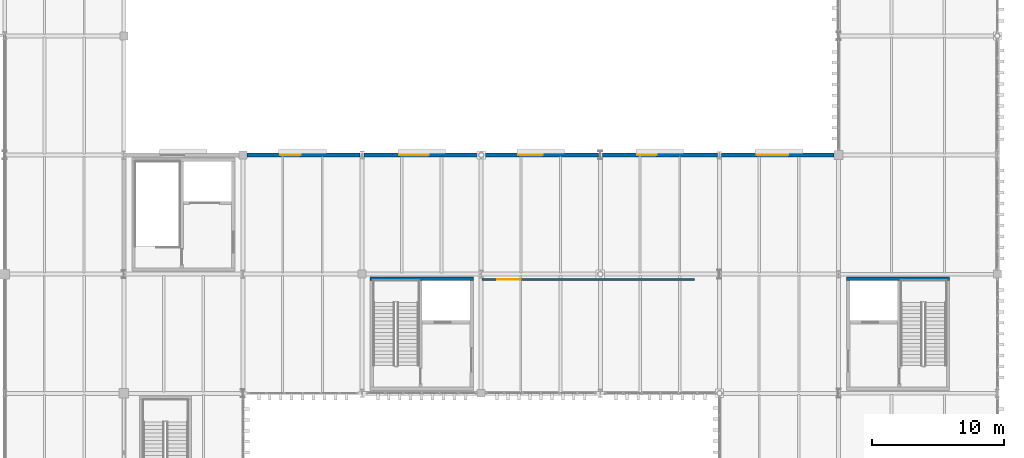
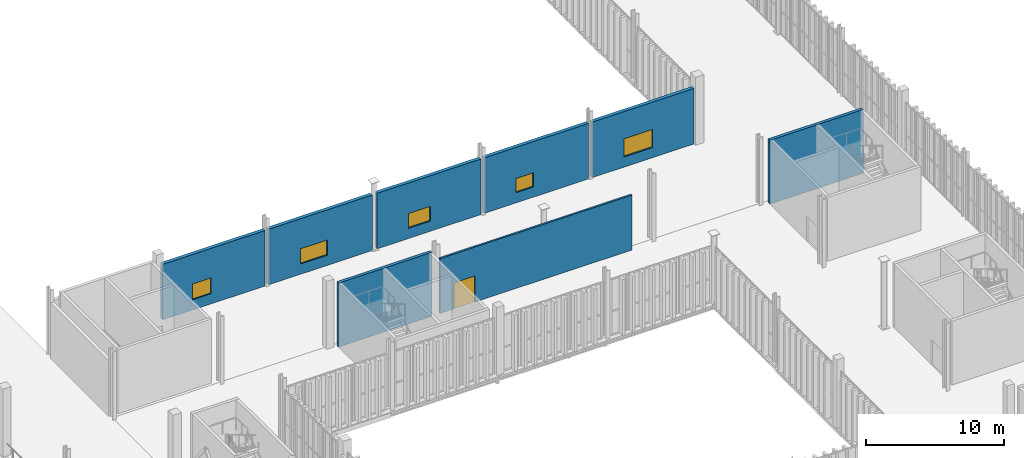
# One storey, part 182 of 211: 8 walls, 5 windows, 1 door, 6 openings.
"""IFC4 building model written with IfcOpenShell, lengths in metres."""

from ifc_helpers import new_model, si_unit, direction, frame, frame_2d, origin, place, context, subcontext, project, spatial, rectangle, extrude, material, layer, layer_set, type_object, element, fill, save


model = new_model("IFC4")

# Units and contexts
model_context = context("Model", 3, precision=1e-05, world=origin(), true_north=direction((0.0, 1.0)))
body_context = subcontext(model_context, "Body", "Model", "MODEL_VIEW")
ifc_project = project(units=[si_unit("LENGTHUNIT", "METRE"), si_unit("AREAUNIT", "SQUARE_METRE"), si_unit("VOLUMEUNIT", "CUBIC_METRE"), si_unit("PLANEANGLEUNIT", "RADIAN"), si_unit("MASSUNIT", "GRAM", prefix="KILO")], contexts=[model_context])

# Site, building, storey
site_placement = place(None, origin())
site = spatial("IfcSite", under=ifc_project, at=site_placement, CompositionType="ELEMENT")
building_placement = place(site_placement, origin())
building = spatial("IfcBuilding", under=site, at=building_placement, Name="Barlavento Convention Centre", CompositionType="ELEMENT")
storey_placement = place(building_placement, frame((0.0, 0.0, 6.0)))
storey = spatial("IfcBuildingStorey", under=building, at=storey_placement, Name="L01", CompositionType="ELEMENT", Elevation=6.0)

# Wall, opening, window
ifc_material_1 = material(Name="Glazed white architectural terracotta on Concrete C40/50", Category="masonry")
ifc_layer_1 = layer(ifc_material_1, 0.2900390625)
ifc_layer_set_1 = layer_set([ifc_layer_1], Name="ARC-WL-EXT-290")
wall_type_1 = type_object("IfcWallType", Name="ARC-WL-EXT-290", PredefinedType="SOLIDWALL", material=ifc_layer_set_1)
wall_1_placement = place(storey_placement, frame((135.294921875, 108.0, 0.0), z_axis=(0.0, 0.0, 1.0), x_axis=(1.0, 0.0, 0.0)))
wall_1 = element("IfcWall", 1, at=wall_1_placement, inside=storey, type_object=wall_type_1, Name="L01 exterior wall EW02", PredefinedType="SOLIDWALL", context=body_context, shape_type="SweptSolid", body=[
    extrude(rectangle(XDim=8.55712890625, YDim=0.2900390625, at=frame_2d((4.278564453125, 0.0))), origin(), (0.0, 0.0, 1.0), 4.89990234375),
])
opening_1_placement = place(wall_1_placement, frame((2.5048828125, 0.0, 0.89990234375)))
opening_1 = element("IfcOpeningElement", 2, at=opening_1_placement, cuts=wall_1, Name="Opening WN22", PredefinedType="OPENING", context=body_context, shape_type="SweptSolid", body=[
    extrude(rectangle(XDim=1.550048828125, YDim=1.39990234375, at=frame_2d((0.77490234375, 0.699951171875))), frame((0.0, 0.155029296875, 0.0), z_axis=(0.0, -1.0, 0.0), x_axis=(1.0, 0.0, 0.0)), (0.0, 0.0, 1.0), 0.31005859375),
])
ifc_material_2 = material(Name="Double-silver Low-E insulated glass", Category="glass")
window_type_1 = type_object("IfcWindowType", Name="ARC-WN-CONF-1550X1400", PartitioningType="SINGLE_PANEL", PredefinedType="WINDOW", material=ifc_material_2)
window_1_placement = place(opening_1_placement, origin())
window_1 = element("IfcWindow", 3, at=window_1_placement, inside=storey, type_object=window_type_1, Name="L01 exterior Low-E window WN22", OverallHeight=1.39990234375, OverallWidth=1.550048828125, PartitioningType="SINGLE_PANEL", PredefinedType="WINDOW", context=body_context, shape_type="SweptSolid", body=[
    extrude(rectangle(XDim=1.550048828125, YDim=1.39990234375, at=frame_2d((0.77490234375, 0.699951171875))), frame((0.0, 0.030029296875, 0.0), z_axis=(0.0, -1.0, 0.0), x_axis=(1.0, 0.0, 0.0)), (0.0, 0.0, 1.0), 0.06005859375),
])
fill(opening_1, window_1)

wall_2_placement = place(storey_placement, frame((144.14794921875, 108.0, 0.0), z_axis=(0.0, 0.0, 1.0), x_axis=(1.0, 0.0, 0.0)))
wall_2 = element("IfcWall", 4, at=wall_2_placement, inside=storey, type_object=wall_type_1, Name="L01 exterior wall EW02", PredefinedType="SOLIDWALL", context=body_context, shape_type="SweptSolid", body=[
    extrude(rectangle(XDim=8.65380859375, YDim=0.2900390625, at=frame_2d((4.326904296875, 0.0))), origin(), (0.0, 0.0, 1.0), 4.89990234375),
])
opening_2_placement = place(wall_2_placement, frame((2.652099609375, 0.0, 0.89990234375)))
opening_2 = element("IfcOpeningElement", 5, at=opening_2_placement, cuts=wall_2, Name="Opening WN23", PredefinedType="OPENING", context=body_context, shape_type="SweptSolid", body=[
    extrude(rectangle(XDim=2.25, YDim=1.35009765625, at=frame_2d((1.125, 0.675048828125))), frame((0.0, 0.155029296875, 0.0), z_axis=(0.0, -1.0, 0.0), x_axis=(1.0, 0.0, 0.0)), (0.0, 0.0, 1.0), 0.31005859375),
])
window_type_2 = type_object("IfcWindowType", Name="ARC-WN-EXEC-2250X1350", PartitioningType="DOUBLE_PANEL_VERTICAL", PredefinedType="WINDOW", material=ifc_material_2)
window_2_placement = place(opening_2_placement, origin())
window_2 = element("IfcWindow", 6, at=window_2_placement, inside=storey, type_object=window_type_2, Name="L01 exterior Low-E window WN23", OverallHeight=1.35009765625, OverallWidth=2.25, PartitioningType="SINGLE_PANEL", PredefinedType="WINDOW", context=body_context, shape_type="SweptSolid", body=[
    extrude(rectangle(XDim=2.25, YDim=1.35009765625, at=frame_2d((1.125, 0.675048828125))), frame((0.0, 0.030029296875, 0.0), z_axis=(0.0, -1.0, 0.0), x_axis=(1.0, 0.0, 0.0)), (0.0, 0.0, 1.0), 0.06005859375),
])
fill(opening_2, window_2)

wall_3_placement = place(storey_placement, frame((153.1982421875, 108.0, 0.0), z_axis=(0.0, 0.0, 1.0), x_axis=(1.0, 0.0, 0.0)))
wall_3 = element("IfcWall", 7, at=wall_3_placement, inside=storey, type_object=wall_type_1, Name="L01 exterior wall EW02", PredefinedType="SOLIDWALL", context=body_context, shape_type="SweptSolid", body=[
    extrude(rectangle(XDim=8.654296875, YDim=0.2900390625, at=frame_2d((4.3271484375, 0.0))), origin(), (0.0, 0.0, 1.0), 4.89990234375),
])
opening_3_placement = place(wall_3_placement, frame((2.601806640625, 0.0, 0.89990234375)))
opening_3 = element("IfcOpeningElement", 8, at=opening_3_placement, cuts=wall_3, Name="Opening WN24", PredefinedType="OPENING", context=body_context, shape_type="SweptSolid", body=[
    extrude(rectangle(XDim=1.85009765625, YDim=1.300048828125, at=frame_2d((0.925048828125, 0.64990234375))), frame((0.0, 0.155029296875, 0.0), z_axis=(0.0, -1.0, 0.0), x_axis=(1.0, 0.0, 0.0)), (0.0, 0.0, 1.0), 0.31005859375),
])
window_type_3 = type_object("IfcWindowType", Name="ARC-WN-EXEC-1850X1300", PartitioningType="DOUBLE_PANEL_VERTICAL", PredefinedType="WINDOW", material=ifc_material_2)
window_3_placement = place(opening_3_placement, origin())
window_3 = element("IfcWindow", 9, at=window_3_placement, inside=storey, type_object=window_type_3, Name="L01 exterior Low-E window WN24", OverallHeight=1.300048828125, OverallWidth=1.85009765625, PartitioningType="SINGLE_PANEL", PredefinedType="WINDOW", context=body_context, shape_type="SweptSolid", body=[
    extrude(rectangle(XDim=1.85009765625, YDim=1.300048828125, at=frame_2d((0.925048828125, 0.64990234375))), frame((0.0, 0.030029296875, 0.0), z_axis=(0.0, -1.0, 0.0), x_axis=(1.0, 0.0, 0.0)), (0.0, 0.0, 1.0), 0.06005859375),
])
fill(opening_3, window_3)

wall_4_placement = place(storey_placement, frame((162.1474609375, 108.0, 0.0), z_axis=(0.0, 0.0, 1.0), x_axis=(1.0, 0.0, 0.0)))
wall_4 = element("IfcWall", 10, at=wall_4_placement, inside=storey, type_object=wall_type_1, Name="L01 exterior wall EW02", PredefinedType="SOLIDWALL", context=body_context, shape_type="SweptSolid", body=[
    extrude(rectangle(XDim=8.70458984375, YDim=0.2900390625, at=frame_2d((4.352294921875, 0.0))), origin(), (0.0, 0.0, 1.0), 4.89990234375),
])
opening_4_placement = place(wall_4_placement, frame((2.652587890625, 0.0, 0.89990234375)))
opening_4 = element("IfcOpeningElement", 11, at=opening_4_placement, cuts=wall_4, Name="Opening WN25", PredefinedType="OPENING", context=body_context, shape_type="SweptSolid", body=[
    extrude(rectangle(XDim=1.449951171875, YDim=1.25, at=frame_2d((0.72509765625, 0.625))), frame((0.0, 0.155029296875, 0.0), z_axis=(0.0, -1.0, 0.0), x_axis=(1.0, 0.0, 0.0)), (0.0, 0.0, 1.0), 0.31005859375),
])
window_type_4 = type_object("IfcWindowType", Name="ARC-WN-EXEC-1450X1250", PartitioningType="SINGLE_PANEL", PredefinedType="WINDOW", material=ifc_material_2)
window_4_placement = place(opening_4_placement, origin())
window_4 = element("IfcWindow", 12, at=window_4_placement, inside=storey, type_object=window_type_4, Name="L01 exterior Low-E window WN25", OverallHeight=1.25, OverallWidth=1.449951171875, PartitioningType="SINGLE_PANEL", PredefinedType="WINDOW", context=body_context, shape_type="SweptSolid", body=[
    extrude(rectangle(XDim=1.449951171875, YDim=1.25, at=frame_2d((0.72509765625, 0.625))), frame((0.0, 0.030029296875, 0.0), z_axis=(0.0, -1.0, 0.0), x_axis=(1.0, 0.0, 0.0)), (0.0, 0.0, 1.0), 0.06005859375),
])
fill(opening_4, window_4)

wall_5_placement = place(storey_placement, frame((171.14794921875, 108.0, 0.0), z_axis=(0.0, 0.0, 1.0), x_axis=(1.0, 0.0, 0.0)))
wall_5 = element("IfcWall", 13, at=wall_5_placement, inside=storey, type_object=wall_type_1, Name="L01 exterior wall EW02", PredefinedType="SOLIDWALL", context=body_context, shape_type="SweptSolid", body=[
    extrude(rectangle(XDim=8.507080078125, YDim=0.2900390625, at=frame_2d((4.25341796875, 0.0))), origin(), (0.0, 0.0, 1.0), 4.89990234375),
])
opening_5_placement = place(wall_5_placement, frame((2.652099609375, 0.0, 0.89990234375)))
opening_5 = element("IfcOpeningElement", 14, at=opening_5_placement, cuts=wall_5, Name="Opening WN18", PredefinedType="OPENING", context=body_context, shape_type="SweptSolid", body=[
    extrude(rectangle(XDim=2.39990234375, YDim=1.60009765625, at=frame_2d((1.199951171875, 0.800048828125))), frame((0.0, 0.155029296875, 0.0), z_axis=(0.0, -1.0, 0.0), x_axis=(1.0, 0.0, 0.0)), (0.0, 0.0, 1.0), 0.31005859375),
])
window_type_5 = type_object("IfcWindowType", Name="ARC-WN-CONF-2400X1600", PartitioningType="DOUBLE_PANEL_VERTICAL", PredefinedType="WINDOW", material=ifc_material_2)
window_5_placement = place(opening_5_placement, origin())
window_5 = element("IfcWindow", 15, at=window_5_placement, inside=storey, type_object=window_type_5, Name="L01 exterior Low-E window WN18", OverallHeight=1.60009765625, OverallWidth=2.39990234375, PartitioningType="SINGLE_PANEL", PredefinedType="WINDOW", context=body_context, shape_type="SweptSolid", body=[
    extrude(rectangle(XDim=2.39990234375, YDim=1.60009765625, at=frame_2d((1.199951171875, 0.800048828125))), frame((0.0, 0.030029296875, 0.0), z_axis=(0.0, -1.0, 0.0), x_axis=(1.0, 0.0, 0.0)), (0.0, 0.0, 1.0), 0.06005859375),
])
fill(opening_5, window_5)

# Wall, opening, door
ifc_material_3 = material(Name="Metal stud acoustic partition")
ifc_layer_2 = layer(ifc_material_3, 0.155029296875)
ifc_layer_set_2 = layer_set([ifc_layer_2], Name="ARC-WL-PART-155")
wall_type_2 = type_object("IfcWallType", Name="ARC-WL-PART-155", PredefinedType="PARTITIONING", material=ifc_layer_set_2)
wall_6_placement = place(storey_placement, frame((153.06005859375, 98.60009765625, 0.0), z_axis=(0.0, 0.0, 1.0), x_axis=(1.0, 0.0, 0.0)))
wall_6 = element("IfcWall", 16, at=wall_6_placement, inside=storey, type_object=wall_type_2, Name="L01 interior wall PT-03", PredefinedType="PARTITIONING", context=body_context, shape_type="SweptSolid", body=[
    extrude(rectangle(XDim=16.0400390625, YDim=0.155029296875, at=frame_2d((8.02001953125, 0.0))), origin(), (0.0, 0.0, 1.0), 4.85009765625),
])
opening_6_placement = place(wall_6_placement, frame((1.14990234375, 0.0, 0.0)))
opening_6 = element("IfcOpeningElement", 17, at=opening_6_placement, cuts=wall_6, Name="Opening ID-03", PredefinedType="OPENING", context=body_context, shape_type="SweptSolid", body=[
    extrude(rectangle(XDim=1.75, YDim=2.300048828125, at=frame_2d((0.875, 1.14990234375))), frame((0.0, 0.08740234375, 0.0), z_axis=(0.0, -1.0, 0.0), x_axis=(1.0, 0.0, 0.0)), (0.0, 0.0, 1.0), 0.175048828125),
])
ifc_material_4 = material(Name="Timber veneer acoustic core", Category="wood")
door_type = type_object("IfcDoorType", Name="ARC-DR-CONF-1750X2300", OperationType="DOUBLE_DOOR_SINGLE_SWING", PredefinedType="DOOR", material=ifc_material_4)
door_placement = place(opening_6_placement, origin())
door = element("IfcDoor", 18, at=door_placement, inside=storey, type_object=door_type, Name="DR-INT-L01-0227 L01 interior door ID-03", OperationType="DOUBLE_DOOR_SINGLE_SWING", OverallHeight=2.300048828125, OverallWidth=1.75, PredefinedType="DOOR", context=body_context, shape_type="SweptSolid", body=[
    extrude(rectangle(XDim=1.75, YDim=2.300048828125, at=frame_2d((0.875, 1.14990234375))), frame((0.0, 0.02490234375, 0.0), z_axis=(0.0, -1.0, 0.0), x_axis=(1.0, 0.0, 0.0)), (0.0, 0.0, 1.0), 0.050048828125),
])
fill(opening_6, door)

# Walls
ifc_material_5 = material(Name="Concrete C50/60", Category="concrete")
ifc_layer_3 = layer(ifc_material_5, 0.25)
ifc_layer_set_3 = layer_set([ifc_layer_3], Name="STR-WL-CORE-250")
wall_type_3 = type_object("IfcWallType", Name="STR-WL-CORE-250", PredefinedType="SHEAR", material=ifc_layer_set_3)
for number, where, z_axis, x_axis, name in (
    (19, (180.60009765625, 98.655029296875, 0.0), (0.0, 0.0, 1.0), (1.0, 0.0, 0.0), "L01 interior wall CW-02"),
    (20, (144.60009765625, 98.655029296875, 0.0), (0.0, 0.0, 1.0), (1.0, 0.0, 0.0), "L01 interior wall CW-02"),
):
    element("IfcWall", number, at=place(storey_placement, frame(where, z_axis=z_axis, x_axis=x_axis)), inside=storey, type_object=wall_type_3, Name=name, PredefinedType="SHEAR", context=body_context, shape_type="SweptSolid", body=[
        extrude(rectangle(XDim=7.7998046875, YDim=0.25, at=frame_2d((3.89990234375, 0.0))), origin(), (0.0, 0.0, 1.0), 5.639892578125),
    ])

save(model, "model.ifc")
